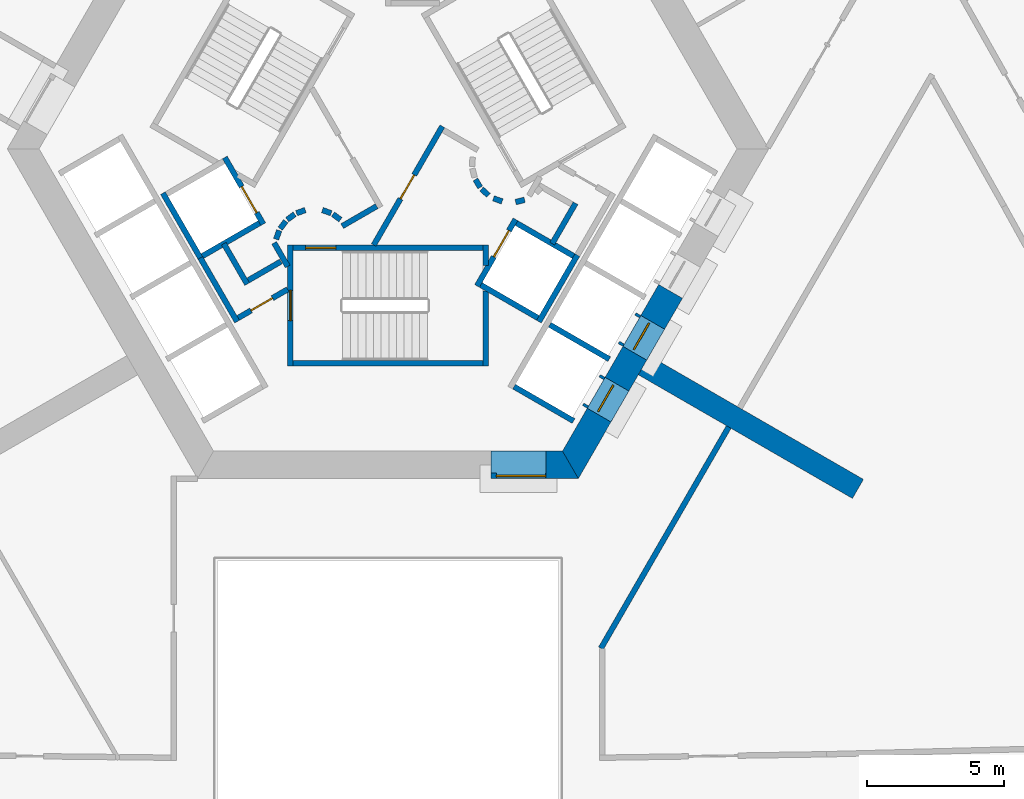
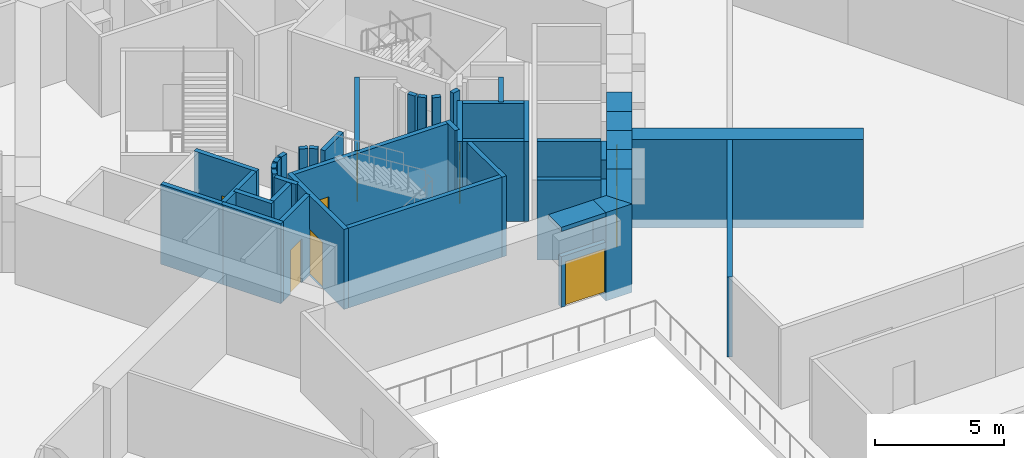
# One storey, part 6 of 16: 44 walls, 9 doors, 9 openings.
"""IFC4 building model written with IfcOpenShell, lengths in metres."""

from ifc_helpers import new_model, si_unit, direction, frame, frame_2d, origin, place, context, subcontext, project, spatial, polyline, rectangle, outline, extrude, material, layer, layer_set, type_object, element, fill, save


model = new_model("IFC4")

# Units and contexts
model_context = context("Model", 3, precision=1e-05, world=origin(), true_north=direction((0.0, 1.0)))
body_context = subcontext(model_context, "Body", "Model", "MODEL_VIEW")
ifc_project = project(units=[si_unit("LENGTHUNIT", "METRE"), si_unit("AREAUNIT", "SQUARE_METRE"), si_unit("VOLUMEUNIT", "CUBIC_METRE"), si_unit("PLANEANGLEUNIT", "RADIAN"), si_unit("MASSUNIT", "GRAM", prefix="KILO")], contexts=[model_context])

# Site, building, storey
site_placement = place(None, origin())
site = spatial("IfcSite", under=ifc_project, at=site_placement, CompositionType="ELEMENT")
building_placement = place(site_placement, origin())
building = spatial("IfcBuilding", under=site, at=building_placement, Name="Entoto Arch Interchange Tower", CompositionType="ELEMENT")
storey_placement = place(building_placement, frame((0.0, 0.0, 60.199951171875)))
storey = spatial("IfcBuildingStorey", under=building, at=storey_placement, Name="L12", CompositionType="ELEMENT", Elevation=60.199951171875)

# Wall
ifc_material_1 = material(Name="Concrete C60/75", Category="concrete")
ifc_layer_1 = layer(ifc_material_1, 0.800048828125)
ifc_layer_set_1 = layer_set([ifc_layer_1], Name="Concrete C60/75")
wall_type_1 = type_object("IfcWallType", Name="Buttress wall 800 C60/75", PredefinedType="SHEAR", material=ifc_layer_set_1)
wall_1_placement = place(storey_placement, frame((9.31005859375, -5.375, -0.39990234375), z_axis=(0.0, 0.0, 1.0), x_axis=(0.866017533419, -0.500013631625, 0.0)))
element("IfcWall", 1, at=wall_1_placement, inside=storey, type_object=wall_type_1, Name="Buttress wall SE L12", PredefinedType="SHEAR", context=body_context, shape_type="SweptSolid", body=[
    extrude(rectangle(XDim=8.999755859375, YDim=0.800048828125, at=frame_2d((4.5, 0.0))), origin(), (0.0, 0.0, 1.0), 4.199951171875),
])

# Wall, opening, door
ifc_material_2 = material(Name="Reinforced concrete C40/50", Category="concrete")
ifc_layer_2 = layer(ifc_material_2, 0.199951171875)
ifc_layer_set_2 = layer_set([ifc_layer_2], Name="Reinforced concrete C40/50")
wall_type_2 = type_object("IfcWallType", Name="CORE GAP INFILL WALL", PredefinedType="PARTITIONING", material=ifc_layer_set_2)
wall_2_placement = place(storey_placement, frame((3.75, -9.39990234375, 0.0), z_axis=(0.0, 0.0, 1.0), x_axis=(1.0, 0.0, 0.0)))
wall_2 = element("IfcWall", 2, at=wall_2_placement, inside=storey, type_object=wall_type_2, Name="wall:L12:gap1", PredefinedType="PARTITIONING", context=body_context, shape_type="SweptSolid", body=[
    extrude(rectangle(XDim=2.0, YDim=0.199951171875, at=frame_2d((1.0, 0.0))), origin(), (0.0, 0.0, 1.0), 2.400146484375),
])
opening_1_placement = place(wall_2_placement, frame((0.18994140625, 0.0, 0.0)))
opening_1 = element("IfcOpeningElement", 3, at=opening_1_placement, cuts=wall_2, Name="Opening L12-D91", PredefinedType="OPENING", context=body_context, shape_type="SweptSolid", body=[
    extrude(rectangle(XDim=1.800048828125, YDim=2.10009765625, at=frame_2d((0.89990234375, 1.050048828125))), frame((0.0, 0.10986328125, 0.0), z_axis=(0.0, -1.0, 0.0), x_axis=(1.0, 0.0, 0.0)), (0.0, 0.0, 1.0), 0.219970703125),
])
ifc_material_3 = material(Name="Fire-rated Steel S235 door and frame", Category="steel")
door_type_1 = type_object("IfcDoorType", Name="DOOR FD-18 1800x2100", OperationType="DOUBLE_DOOR_SINGLE_SWING", PredefinedType="DOOR", material=ifc_material_3)
door_1_placement = place(opening_1_placement, origin())
door_1 = element("IfcDoor", 4, at=door_1_placement, inside=storey, type_object=door_type_1, Name="door:L12:gap1", OperationType="DOUBLE_DOOR_SINGLE_SWING", OverallHeight=2.10009765625, OverallWidth=1.800048828125, PredefinedType="DOOR", context=body_context, shape_type="SweptSolid", body=[
    extrude(rectangle(XDim=1.800048828125, YDim=2.10009765625, at=frame_2d((0.89990234375, 1.050048828125))), frame((0.0, 0.02490234375, 0.0), z_axis=(0.0, -1.0, 0.0), x_axis=(1.0, 0.0, 0.0)), (0.0, 0.0, 1.0), 0.050048828125),
])
fill(opening_1, door_1)

# Walls
ifc_layer_3 = layer(ifc_material_1, 1.0)
ifc_layer_set_3 = layer_set([ifc_layer_3], Name="Concrete C60/75")
wall_type_3 = type_object("IfcWallType", Name="Core wall 1000 C60/75", PredefinedType="SHEAR", material=ifc_layer_set_3)
wall_3_placement = place(storey_placement, frame((0.0, 0.0, -0.39990234375)))
element("IfcWall", 5, at=wall_3_placement, inside=storey, type_object=wall_type_3, Name="Core wall S L12", PredefinedType="SHEAR", context=body_context, shape_type="SweptSolid", body=[
    extrude(outline(polyline([(5.75, -8.5), (5.75, -9.5), (6.927978515625, -9.5), (6.35107421875, -8.5), (5.75, -8.5)])), origin(), (0.0, 0.0, 1.0), 4.199951171875),
])
wall_4_placement = place(storey_placement, frame((0.0, 0.0, 3.60009765625)))
element("IfcWall", 6, at=wall_4_placement, inside=storey, type_object=wall_type_3, Name="Core wall lintel S L12", PredefinedType="SHEAR", context=body_context, shape_type="SweptSolid", body=[
    extrude(outline(polyline([(5.75, -9.5), (5.75, -8.5), (3.75, -8.5), (3.75, -9.5), (5.75, -9.5)])), origin(), (0.0, 0.0, 1.0), 0.199951171875),
])
wall_5_placement = place(storey_placement, frame((0.0, 0.0, -0.39990234375)))
element("IfcWall", 7, at=wall_5_placement, inside=storey, type_object=wall_type_3, Name="Core wall SE L12", PredefinedType="SHEAR", context=body_context, shape_type="SweptSolid", body=[
    extrude(outline(polyline([(8.116943359375, -7.43994140625), (7.251953125, -6.93994140625), (6.35107421875, -8.5), (6.927978515625, -9.5), (8.116943359375, -7.43994140625)])), origin(), (0.0, 0.0, 1.0), 4.199951171875),
])
wall_6_placement = place(storey_placement, frame((0.0, 0.0, -0.39990234375)))
element("IfcWall", 8, at=wall_6_placement, inside=storey, type_object=wall_type_3, Name="Core wall SE L12", PredefinedType="SHEAR", context=body_context, shape_type="SweptSolid", body=[
    extrude(outline(polyline([(9.4169921875, -5.18896484375), (8.551025390625, -4.68896484375), (7.902099609375, -5.81396484375), (8.76708984375, -6.31396484375), (9.4169921875, -5.18896484375)])), origin(), (0.0, 0.0, 1.0), 4.199951171875),
])
wall_7_placement = place(storey_placement, frame((0.0, 0.0, -0.39990234375)))
element("IfcWall", 9, at=wall_7_placement, inside=storey, type_object=wall_type_3, Name="Core wall SE L12", PredefinedType="SHEAR", context=body_context, shape_type="SweptSolid", body=[
    extrude(outline(polyline([(10.717041015625, -2.93701171875), (9.85107421875, -2.43701171875), (9.200927734375, -3.56298828125), (10.06689453125, -4.06298828125), (10.717041015625, -2.93701171875)])), origin(), (0.0, 0.0, 1.0), 4.199951171875),
])
wall_8_placement = place(storey_placement, frame((0.0, 0.0, 3.60009765625)))
element("IfcWall", 10, at=wall_8_placement, inside=storey, type_object=wall_type_3, Name="Core wall lintel SE L12", PredefinedType="SHEAR", context=body_context, shape_type="SweptSolid", body=[
    extrude(outline(polyline([(8.76708984375, -6.31396484375), (7.902099609375, -5.81396484375), (7.251953125, -6.93994140625), (8.116943359375, -7.43994140625), (8.76708984375, -6.31396484375)])), origin(), (0.0, 0.0, 1.0), 0.199951171875),
])
wall_9_placement = place(storey_placement, frame((0.0, 0.0, 3.60009765625)))
element("IfcWall", 11, at=wall_9_placement, inside=storey, type_object=wall_type_3, Name="Core wall lintel SE L12", PredefinedType="SHEAR", context=body_context, shape_type="SweptSolid", body=[
    extrude(outline(polyline([(10.06689453125, -4.06298828125), (9.200927734375, -3.56298828125), (8.551025390625, -4.68896484375), (9.4169921875, -5.18896484375), (10.06689453125, -4.06298828125)])), origin(), (0.0, 0.0, 1.0), 0.199951171875),
])

# Wall, opening, door
ifc_material_4 = material(Name="Concrete C40/50", Category="concrete")
ifc_layer_4 = layer(ifc_material_4, 1.199951171875)
ifc_layer_set_4 = layer_set([ifc_layer_4], Name="Concrete C40/50")
wall_type_4 = type_object("IfcWallType", Name="LIFT LANDING INFILL WALL", PredefinedType="STANDARD", material=ifc_layer_set_4)
wall_10_placement = place(storey_placement, frame((7.597900390625, -7.139892578125, 0.0), z_axis=(0.0, 0.0, 1.0), x_axis=(0.500362116554, 0.865816234728, 0.0)))
wall_10 = element("IfcWall", 12, at=wall_10_placement, inside=storey, type_object=wall_type_4, Name="Lift landing infill wall LR5 L12", PredefinedType="STANDARD", context=body_context, shape_type="SweptSolid", body=[
    extrude(rectangle(XDim=1.29931640625, YDim=1.199951171875, at=frame_2d((0.649658203125, 0.0))), origin(), (0.0, 0.0, 1.0), 2.400146484375),
])
opening_2_placement = place(wall_10_placement, frame((0.10009765625, 0.0, 0.0)))
opening_2 = element("IfcOpeningElement", 13, at=opening_2_placement, cuts=wall_10, Name="Opening LD-LR5-L12", PredefinedType="OPENING", context=body_context, shape_type="SweptSolid", body=[
    extrude(rectangle(XDim=1.10009765625, YDim=2.300048828125, at=frame_2d((0.550048828125, 1.14990234375))), frame((0.0, 0.60986328125, 0.0), z_axis=(0.0, -1.0, 0.0), x_axis=(1.0, 0.0, 0.0)), (0.0, 0.0, 1.0), 1.219970703125),
])
ifc_material_5 = material(Name="Stainless steel 1.4301 panels", Category="steel")
door_type_2 = type_object("IfcDoorType", Name="LIFT LANDING DOOR LD2 1100x2300", OperationType="SLIDING_TO_LEFT", PredefinedType="DOOR", material=ifc_material_5)
door_2_placement = place(opening_2_placement, origin())
door_2 = element("IfcDoor", 14, at=door_2_placement, inside=storey, type_object=door_type_2, Name="Lift landing door LR5 L12", OperationType="SLIDING_TO_LEFT", OverallHeight=2.300048828125, OverallWidth=1.10009765625, PredefinedType="DOOR", context=body_context, shape_type="SweptSolid", body=[
    extrude(rectangle(XDim=1.10009765625, YDim=2.300048828125, at=frame_2d((0.550048828125, 1.14990234375))), frame((0.0, 0.02490234375, 0.0), z_axis=(0.0, -1.0, 0.0), x_axis=(1.0, 0.0, 0.0)), (0.0, 0.0, 1.0), 0.050048828125),
])
fill(opening_2, door_2)

wall_11_placement = place(storey_placement, frame((8.89794921875, -4.888916015625, 0.0), z_axis=(0.0, 0.0, 1.0), x_axis=(0.500036693733, 0.866004217611, 0.0)))
wall_11 = element("IfcWall", 15, at=wall_11_placement, inside=storey, type_object=wall_type_4, Name="Lift landing infill wall LR6 L12", PredefinedType="STANDARD", context=body_context, shape_type="SweptSolid", body=[
    extrude(rectangle(XDim=1.30029296875, YDim=1.199951171875, at=frame_2d((0.650146484375, 0.0))), origin(), (0.0, 0.0, 1.0), 2.400146484375),
])
opening_3_placement = place(wall_11_placement, frame((0.10009765625, 0.0, 0.0)))
opening_3 = element("IfcOpeningElement", 16, at=opening_3_placement, cuts=wall_11, Name="Opening LD-LR6-L12", PredefinedType="OPENING", context=body_context, shape_type="SweptSolid", body=[
    extrude(rectangle(XDim=1.10009765625, YDim=2.300048828125, at=frame_2d((0.550048828125, 1.14990234375))), frame((0.0, 0.60986328125, 0.0), z_axis=(0.0, -1.0, 0.0), x_axis=(1.0, 0.0, 0.0)), (0.0, 0.0, 1.0), 1.219970703125),
])
door_3_placement = place(opening_3_placement, origin())
door_3 = element("IfcDoor", 17, at=door_3_placement, inside=storey, type_object=door_type_2, Name="Lift landing door LR6 L12", OperationType="SLIDING_TO_LEFT", OverallHeight=2.300048828125, OverallWidth=1.10009765625, PredefinedType="DOOR", context=body_context, shape_type="SweptSolid", body=[
    extrude(rectangle(XDim=1.10009765625, YDim=2.300048828125, at=frame_2d((0.550048828125, 1.14990234375))), frame((0.0, 0.02490234375, 0.0), z_axis=(0.0, -1.0, 0.0), x_axis=(1.0, 0.0, 0.0)), (0.0, 0.0, 1.0), 0.050048828125),
])
fill(opening_3, door_3)

ifc_layer_5 = layer(ifc_material_4, 0.199951171875)
ifc_layer_set_5 = layer_set([ifc_layer_5], Name="Concrete C40/50")
wall_type_5 = type_object("IfcWallType", Name="LIFT SHAFT WALL 200", PredefinedType="STANDARD", material=ifc_layer_set_5)
wall_12_placement = place(storey_placement, frame((-5.93994140625, 2.18798828125, 0.0), z_axis=(0.0, 0.0, 1.0), x_axis=(0.49994636267, -0.866056369097, 0.0)))
wall_12 = element("IfcWall", 18, at=wall_12_placement, inside=storey, type_object=wall_type_5, Name="Shaft wall SW1 front", PredefinedType="STANDARD", context=body_context, shape_type="SweptSolid", body=[
    extrude(rectangle(XDim=2.800048828125, YDim=0.199951171875, at=frame_2d((1.39990234375, 0.0))), origin(), (0.0, 0.0, 1.0), 3.800048828125),
])
opening_4_placement = place(wall_12_placement, frame((1.22509765625, 0.0, 0.0)))
opening_4 = element("IfcOpeningElement", 19, at=opening_4_placement, cuts=wall_12, Name="Opening LD-FF2-L12", PredefinedType="OPENING", context=body_context, shape_type="SweptSolid", body=[
    extrude(rectangle(XDim=1.10009765625, YDim=2.10009765625, at=frame_2d((0.550048828125, 1.050048828125))), frame((0.0, 0.10986328125, 0.0), z_axis=(0.0, -1.0, 0.0), x_axis=(1.0, 0.0, 0.0)), (0.0, 0.0, 1.0), 0.219970703125),
])
door_type_3 = type_object("IfcDoorType", Name="LIFT LANDING DOOR LD1 1100x2100", OperationType="SLIDING_TO_LEFT", PredefinedType="DOOR", material=ifc_material_5)
door_4_placement = place(opening_4_placement, origin())
door_4 = element("IfcDoor", 20, at=door_4_placement, inside=storey, type_object=door_type_3, Name="Lift landing door FF2 L12", OperationType="SLIDING_TO_LEFT", OverallHeight=2.10009765625, OverallWidth=1.10009765625, PredefinedType="DOOR", context=body_context, shape_type="SweptSolid", body=[
    extrude(rectangle(XDim=1.10009765625, YDim=2.10009765625, at=frame_2d((0.550048828125, 1.050048828125))), frame((0.0, 0.02490234375, 0.0), z_axis=(0.0, -1.0, 0.0), x_axis=(1.0, 0.0, 0.0)), (0.0, 0.0, 1.0), 0.050048828125),
])
fill(opening_4, door_4)

# Walls
wall_13_placement = place(storey_placement, frame((-8.19189453125, 0.887939453125, 0.0), z_axis=(0.0, 0.0, 1.0), x_axis=(0.49994636267, -0.866056369097, 0.0)))
element("IfcWall", 21, at=wall_13_placement, inside=storey, type_object=wall_type_5, Name="Shaft wall SW1 back", PredefinedType="STANDARD", context=body_context, shape_type="SweptSolid", body=[
    extrude(rectangle(XDim=2.800048828125, YDim=0.199951171875, at=frame_2d((1.39990234375, 0.0))), origin(), (0.0, 0.0, 1.0), 3.800048828125),
])
wall_14_placement = place(storey_placement, frame((-4.677001953125, -0.199951171875, 0.0), z_axis=(0.0, 0.0, 1.0), x_axis=(-0.865973769406, -0.500089422704, 0.0)))
element("IfcWall", 22, at=wall_14_placement, inside=storey, type_object=wall_type_5, Name="Shaft wall SW1 cross 2", PredefinedType="STANDARD", context=body_context, shape_type="SweptSolid", body=[
    extrude(rectangle(XDim=2.3994140625, YDim=0.199951171875, at=frame_2d((1.19970703125, 0.0))), origin(), (0.0, 0.0, 1.0), 3.800048828125),
])

# Wall, opening, door
wall_15_placement = place(storey_placement, frame((3.239990234375, -2.488037109375, 0.0), z_axis=(0.0, 0.0, 1.0), x_axis=(0.49994636267, 0.866056369097, 0.0)))
wall_15 = element("IfcWall", 23, at=wall_15_placement, inside=storey, type_object=wall_type_5, Name="Shaft wall SE1 front", PredefinedType="STANDARD", context=body_context, shape_type="SweptSolid", body=[
    extrude(rectangle(XDim=2.800048828125, YDim=0.199951171875, at=frame_2d((1.39990234375, 0.0))), origin(), (0.0, 0.0, 1.0), 3.800048828125),
])
opening_5_placement = place(wall_15_placement, frame((1.22509765625, 0.0, 0.0)))
opening_5 = element("IfcOpeningElement", 24, at=opening_5_placement, cuts=wall_15, Name="Opening LD-FF1-L12", PredefinedType="OPENING", context=body_context, shape_type="SweptSolid", body=[
    extrude(rectangle(XDim=1.10009765625, YDim=2.10009765625, at=frame_2d((0.550048828125, 1.050048828125))), frame((0.0, 0.10986328125, 0.0), z_axis=(0.0, -1.0, 0.0), x_axis=(1.0, 0.0, 0.0)), (0.0, 0.0, 1.0), 0.219970703125),
])
door_5_placement = place(opening_5_placement, origin())
door_5 = element("IfcDoor", 25, at=door_5_placement, inside=storey, type_object=door_type_3, Name="Lift landing door FF1 L12", OperationType="SLIDING_TO_LEFT", OverallHeight=2.10009765625, OverallWidth=1.10009765625, PredefinedType="DOOR", context=body_context, shape_type="SweptSolid", body=[
    extrude(rectangle(XDim=1.10009765625, YDim=2.10009765625, at=frame_2d((0.550048828125, 1.050048828125))), frame((0.0, 0.02490234375, 0.0), z_axis=(0.0, -1.0, 0.0), x_axis=(1.0, 0.0, 0.0)), (0.0, 0.0, 1.0), 0.050048828125),
])
fill(opening_5, door_5)

# Walls
wall_16_placement = place(storey_placement, frame((5.491943359375, -3.7880859375, 0.0), z_axis=(0.0, 0.0, 1.0), x_axis=(0.500011755427, 0.866018616679, 0.0)))
element("IfcWall", 26, at=wall_16_placement, inside=storey, type_object=wall_type_5, Name="Shaft wall SE1 back", PredefinedType="STANDARD", context=body_context, shape_type="SweptSolid", body=[
    extrude(rectangle(XDim=2.80029296875, YDim=0.199951171875, at=frame_2d((1.400146484375, 0.0))), origin(), (0.0, 0.0, 1.0), 3.800048828125),
])
wall_17_placement = place(storey_placement, frame((3.376953125, -2.451904296875, 0.0), z_axis=(0.0, 0.0, 1.0), x_axis=(0.865955154139, -0.50012165622, 0.0)))
element("IfcWall", 27, at=wall_17_placement, inside=storey, type_object=wall_type_5, Name="Shaft wall SE1 cross 1", PredefinedType="STANDARD", context=body_context, shape_type="SweptSolid", body=[
    extrude(rectangle(XDim=2.39990234375, YDim=0.199951171875, at=frame_2d((1.199951171875, 0.0))), origin(), (0.0, 0.0, 1.0), 3.800048828125),
])
wall_18_placement = place(storey_placement, frame((4.677001953125, -0.199951171875, 0.0), z_axis=(0.0, 0.0, 1.0), x_axis=(0.865973769406, -0.500089422704, 0.0)))
element("IfcWall", 28, at=wall_18_placement, inside=storey, type_object=wall_type_5, Name="Shaft wall SE1 cross 2", PredefinedType="STANDARD", context=body_context, shape_type="SweptSolid", body=[
    extrude(rectangle(XDim=2.3994140625, YDim=0.199951171875, at=frame_2d((1.19970703125, 0.0))), origin(), (0.0, 0.0, 1.0), 3.800048828125),
])
for number, where, z_axis, x_axis, name in (
    (29, (4.587890625, -6.153076171875, 0.0), (0.0, 0.0, 1.0), (0.866022959057, -0.500004234368, 0.0), "Shaft wall SE3 cross 1"),
    (30, (5.887939453125, -3.902099609375, 0.0), (0.0, 0.0, 1.0), (0.866022959057, -0.500004234368, 0.0), "Shaft wall SE3 cross 2"),
):
    element("IfcWall", number, at=place(storey_placement, frame(where, z_axis=z_axis, x_axis=x_axis)), inside=storey, type_object=wall_type_5, Name=name, PredefinedType="STANDARD", context=body_context, shape_type="SweptSolid", body=[
        extrude(rectangle(XDim=2.5, YDim=0.199951171875, at=frame_2d((1.25, 0.0))), origin(), (0.0, 0.0, 1.0), 3.800048828125),
    ])
ifc_material_6 = material(Name="Gypsum board partition on steel studs", Category="steel")
ifc_layer_6 = layer(ifc_material_6, 0.199951171875)
ifc_layer_set_6 = layer_set([ifc_layer_6], Name="Gypsum board partition on steel studs")
wall_type_6 = type_object("IfcWallType", Name="PARTITION 200", PredefinedType="PARTITIONING", material=ifc_layer_set_6)
wall_19_placement = place(storey_placement, frame((6.825927734375, 0.52197265625, 0.0), z_axis=(0.0, 0.0, 1.0), x_axis=(-0.500016722714, -0.866015748706, 0.0)))
element("IfcWall", 31, at=wall_19_placement, inside=storey, type_object=wall_type_6, Name="wall:L12:p088", PredefinedType="PARTITIONING", context=body_context, shape_type="SweptSolid", body=[
    extrude(rectangle(XDim=1.69970703125, YDim=0.199951171875, at=frame_2d((0.849853515625, 0.0))), origin(), (0.0, 0.0, 1.0), 3.800048828125),
])
wall_20_placement = place(storey_placement, frame((-3.89990234375, -1.59912109375, 0.0), z_axis=(0.0, 0.0, 1.0), x_axis=(-0.865969445389, -0.500096910261, 0.0)))
element("IfcWall", 32, at=wall_20_placement, inside=storey, type_object=wall_type_6, Name="wall:L12:p092", PredefinedType="PARTITIONING", context=body_context, shape_type="SweptSolid", body=[
    extrude(rectangle(XDim=1.373291015625, YDim=0.199951171875, at=frame_2d((0.6865234375, 0.0))), origin(), (0.0, 0.0, 1.0), 3.800048828125),
])
wall_21_placement = place(storey_placement, frame((-5.1259765625, -2.422119140625, 0.0), z_axis=(0.0, 0.0, 1.0), x_axis=(-0.500062241894, 0.865989465428, 0.0)))
element("IfcWall", 33, at=wall_21_placement, inside=storey, type_object=wall_type_6, Name="wall:L12:p093", PredefinedType="PARTITIONING", context=body_context, shape_type="SweptSolid", body=[
    extrude(rectangle(XDim=1.699951171875, YDim=0.199951171875, at=frame_2d((0.85009765625, 0.0))), origin(), (0.0, 0.0, 1.0), 3.800048828125),
])

# Wall, opening, door
wall_22_placement = place(storey_placement, frame((-3.64990234375, -2.610107421875, 0.0), z_axis=(0.0, 0.0, 1.0), x_axis=(-0.866072462134, -0.499918483688, 0.0)))
wall_22 = element("IfcWall", 34, at=wall_22_placement, inside=storey, type_object=wall_type_6, Name="wall:L12:p094", PredefinedType="PARTITIONING", context=body_context, shape_type="SweptSolid", body=[
    extrude(rectangle(XDim=2.084228515625, YDim=0.199951171875, at=frame_2d((1.0419921875, 0.0))), origin(), (0.0, 0.0, 1.0), 3.800048828125),
])
opening_6_placement = place(wall_22_placement, frame((0.64208984375, 0.0, 0.0)))
opening_6 = element("IfcOpeningElement", 35, at=opening_6_placement, cuts=wall_22, Name="Opening L12-D34", PredefinedType="OPENING", context=body_context, shape_type="SweptSolid", body=[
    extrude(rectangle(XDim=0.89990234375, YDim=2.10009765625, at=frame_2d((0.449951171875, 1.050048828125))), frame((0.0, 0.10986328125, 0.0), z_axis=(0.0, -1.0, 0.0), x_axis=(1.0, 0.0, 0.0)), (0.0, 0.0, 1.0), 0.219970703125),
])
ifc_material_7 = material(Name="Timber door leaf in Steel S235 frame", Category="steel")
door_type_4 = type_object("IfcDoorType", Name="DOOR DS-09 900x2100", OperationType="SINGLE_SWING_LEFT", PredefinedType="DOOR", material=ifc_material_7)
door_6_placement = place(opening_6_placement, origin())
door_6 = element("IfcDoor", 36, at=door_6_placement, inside=storey, type_object=door_type_4, Name="door:L12:34", OperationType="SINGLE_SWING_LEFT", OverallHeight=2.10009765625, OverallWidth=0.89990234375, PredefinedType="DOOR", context=body_context, shape_type="SweptSolid", body=[
    extrude(rectangle(XDim=0.89990234375, YDim=2.10009765625, at=frame_2d((0.449951171875, 1.050048828125))), frame((0.0, 0.02490234375, 0.0), z_axis=(0.0, -1.0, 0.0), x_axis=(1.0, 0.0, 0.0)), (0.0, 0.0, 1.0), 0.050048828125),
])
fill(opening_6, door_6)

# Walls
wall_23_placement = place(storey_placement, frame((-5.491943359375, -3.7880859375, 0.0), z_axis=(0.0, 0.0, 1.0), x_axis=(-0.500008949224, 0.866020236886, 0.0)))
element("IfcWall", 37, at=wall_23_placement, inside=storey, type_object=wall_type_6, Name="wall:L12:p095", PredefinedType="PARTITIONING", context=body_context, shape_type="SweptSolid", body=[
    extrude(rectangle(XDim=2.68017578125, YDim=0.199951171875, at=frame_2d((1.340087890625, 0.0))), origin(), (0.0, 0.0, 1.0), 3.800048828125),
])
wall_24_placement = place(storey_placement, frame((-4.14501953125, -0.919921875, 0.0), z_axis=(0.0, 0.0, 1.0), x_axis=(0.499743786207, -0.866173278362, 0.0)))
element("IfcWall", 38, at=wall_24_placement, inside=storey, type_object=wall_type_6, Name="wall:L12:p096", PredefinedType="PARTITIONING", context=body_context, shape_type="SweptSolid", body=[
    extrude(rectangle(XDim=0.99072265625, YDim=0.199951171875, at=frame_2d((0.495361328125, 0.0))), origin(), (0.0, 0.0, 1.0), 3.800048828125),
])

# Wall, opening, door
wall_25_placement = place(storey_placement, frame((-0.52001953125, -1.0, 0.0), z_axis=(0.0, 0.0, 1.0), x_axis=(0.50011622646, 0.865958290007, 0.0)))
wall_25 = element("IfcWall", 39, at=wall_25_placement, inside=storey, type_object=wall_type_6, Name="wall:L12:p100", PredefinedType="PARTITIONING", context=body_context, shape_type="SweptSolid", body=[
    extrude(rectangle(XDim=4.990966796875, YDim=0.199951171875, at=frame_2d((2.49560546875, 0.0))), origin(), (0.0, 0.0, 1.0), 3.800048828125),
])
opening_7_placement = place(wall_25_placement, frame((1.945068359375, 0.0, 0.0)))
opening_7 = element("IfcOpeningElement", 40, at=opening_7_placement, cuts=wall_25, Name="Opening L12-D30", PredefinedType="OPENING", context=body_context, shape_type="SweptSolid", body=[
    extrude(rectangle(XDim=1.0, YDim=2.10009765625, at=frame_2d((0.5, 1.050048828125))), frame((0.0, 0.10986328125, 0.0), z_axis=(0.0, -1.0, 0.0), x_axis=(1.0, 0.0, 0.0)), (0.0, 0.0, 1.0), 0.219970703125),
])
door_type_5 = type_object("IfcDoorType", Name="DOOR FD-10 1000x2100", OperationType="SINGLE_SWING_LEFT", PredefinedType="DOOR", material=ifc_material_3)
door_7_placement = place(opening_7_placement, origin())
door_7 = element("IfcDoor", 41, at=door_7_placement, inside=storey, type_object=door_type_5, Name="door:L12:30", OperationType="SINGLE_SWING_LEFT", OverallHeight=2.10009765625, OverallWidth=1.0, PredefinedType="DOOR", context=body_context, shape_type="SweptSolid", body=[
    extrude(rectangle(XDim=1.0, YDim=2.10009765625, at=frame_2d((0.5, 1.050048828125))), frame((0.0, 0.02490234375, 0.0), z_axis=(0.0, -1.0, 0.0), x_axis=(1.0, 0.0, 0.0)), (0.0, 0.0, 1.0), 0.050048828125),
])
fill(opening_7, door_7)

# Walls
for number, where, z_axis, x_axis, name in (
    (42, (3.181884765625, 1.387939453125, 0.0), (0.0, 0.0, 1.0), (0.512474702713, -0.85870232274, 0.0), "wall:L12:p104"),
    (43, (3.404052734375, 1.0390625, 0.0), (0.0, 0.0, 1.0), (0.740267097712, -0.672312891476, 0.0), "wall:L12:p105"),
):
    element("IfcWall", number, at=place(storey_placement, frame(where, z_axis=z_axis, x_axis=x_axis)), inside=storey, type_object=wall_type_6, Name=name, PredefinedType="PARTITIONING", context=body_context, shape_type="SweptSolid", body=[
        extrude(rectangle(XDim=0.337646484375, YDim=0.199951171875, at=frame_2d((0.1689453125, 0.0))), origin(), (0.0, 0.0, 1.0), 3.800048828125),
    ])
wall_26_placement = place(storey_placement, frame((3.837890625, 0.701904296875, 0.0), z_axis=(0.0, 0.0, 1.0), x_axis=(0.941035081519, -0.338308993895, 0.0)))
element("IfcWall", 44, at=wall_26_placement, inside=storey, type_object=wall_type_6, Name="wall:L12:p106", PredefinedType="PARTITIONING", context=body_context, shape_type="SweptSolid", body=[
    extrude(rectangle(XDim=0.3369140625, YDim=0.199951171875, at=frame_2d((0.16845703125, 0.0))), origin(), (0.0, 0.0, 1.0), 3.800048828125),
])
wall_27_placement = place(storey_placement, frame((4.64404296875, 0.56396484375, 0.0), z_axis=(0.0, 0.0, 1.0), x_axis=(0.969929076366, 0.243387729394, 0.0)))
element("IfcWall", 45, at=wall_27_placement, inside=storey, type_object=wall_type_6, Name="wall:L12:p107", PredefinedType="PARTITIONING", context=body_context, shape_type="SweptSolid", body=[
    extrude(rectangle(XDim=0.337158203125, YDim=0.199951171875, at=frame_2d((0.16845703125, 0.0))), origin(), (0.0, 0.0, 1.0), 3.800048828125),
])
wall_28_placement = place(storey_placement, frame((-0.412109375, 0.4140625, 0.0), z_axis=(0.0, 0.0, 1.0), x_axis=(-0.866017369001, -0.500013916395, 0.0)))
element("IfcWall", 46, at=wall_28_placement, inside=storey, type_object=wall_type_6, Name="wall:L12:p109", PredefinedType="PARTITIONING", context=body_context, shape_type="SweptSolid", body=[
    extrude(rectangle(XDim=1.4501953125, YDim=0.199951171875, at=frame_2d((0.72509765625, 0.0))), origin(), (0.0, 0.0, 1.0), 3.800048828125),
])
wall_29_placement = place(storey_placement, frame((-1.73095703125, -0.076904296875, 0.0), z_axis=(0.0, 0.0, 1.0), x_axis=(-0.804311165252, 0.594208338422, 0.0)))
element("IfcWall", 47, at=wall_29_placement, inside=storey, type_object=wall_type_6, Name="wall:L12:p110", PredefinedType="PARTITIONING", context=body_context, shape_type="SweptSolid", body=[
    extrude(rectangle(XDim=0.338134765625, YDim=0.199951171875, at=frame_2d((0.1689453125, 0.0))), origin(), (0.0, 0.0, 1.0), 3.800048828125),
])
wall_30_placement = place(storey_placement, frame((-2.070068359375, 0.159912109375, 0.0), z_axis=(0.0, 0.0, 1.0), x_axis=(-0.942199461132, 0.335052496547, 0.0)))
element("IfcWall", 48, at=wall_30_placement, inside=storey, type_object=wall_type_6, Name="wall:L12:p111", PredefinedType="PARTITIONING", context=body_context, shape_type="SweptSolid", body=[
    extrude(rectangle(XDim=0.33740234375, YDim=0.199951171875, at=frame_2d((0.168701171875, 0.0))), origin(), (0.0, 0.0, 1.0), 3.800048828125),
])
wall_31_placement = place(storey_placement, frame((-3.011962890625, 0.27294921875, 0.0), z_axis=(0.0, 0.0, 1.0), x_axis=(-0.942280615813, -0.334824194261, 0.0)))
element("IfcWall", 49, at=wall_31_placement, inside=storey, type_object=wall_type_6, Name="wall:L12:p112", PredefinedType="PARTITIONING", context=body_context, shape_type="SweptSolid", body=[
    extrude(rectangle(XDim=0.337646484375, YDim=0.199951171875, at=frame_2d((0.1689453125, 0.0))), origin(), (0.0, 0.0, 1.0), 3.800048828125),
])
wall_32_placement = place(storey_placement, frame((-3.39697265625, 0.1240234375, 0.0), z_axis=(0.0, 0.0, 1.0), x_axis=(-0.804311165252, -0.594208338422, 0.0)))
element("IfcWall", 50, at=wall_32_placement, inside=storey, type_object=wall_type_6, Name="wall:L12:p113", PredefinedType="PARTITIONING", context=body_context, shape_type="SweptSolid", body=[
    extrude(rectangle(XDim=0.338134765625, YDim=0.199951171875, at=frame_2d((0.1689453125, 0.0))), origin(), (0.0, 0.0, 1.0), 3.800048828125),
])
wall_33_placement = place(storey_placement, frame((-3.722900390625, -0.131103515625, 0.0), z_axis=(0.0, 0.0, 1.0), x_axis=(-0.594675113454, -0.803966112121, 0.0)))
element("IfcWall", 51, at=wall_33_placement, inside=storey, type_object=wall_type_6, Name="wall:L12:p114", PredefinedType="PARTITIONING", context=body_context, shape_type="SweptSolid", body=[
    extrude(rectangle(XDim=0.33837890625, YDim=0.199951171875, at=frame_2d((0.169189453125, 0.0))), origin(), (0.0, 0.0, 1.0), 3.800048828125),
])
wall_34_placement = place(storey_placement, frame((-3.9599609375, -0.469970703125, 0.0), z_axis=(0.0, 0.0, 1.0), x_axis=(-0.334824194261, -0.942280615813, 0.0)))
element("IfcWall", 52, at=wall_34_placement, inside=storey, type_object=wall_type_6, Name="wall:L12:p115", PredefinedType="PARTITIONING", context=body_context, shape_type="SweptSolid", body=[
    extrude(rectangle(XDim=0.337646484375, YDim=0.199951171875, at=frame_2d((0.1689453125, 0.0))), origin(), (0.0, 0.0, 1.0), 3.800048828125),
])
wall_35_placement = place(storey_placement, frame((12.40087890625, -7.6220703125, 0.0), z_axis=(0.0, 0.0, 1.0), x_axis=(-0.500029185841, -0.866008552675, 0.0)))
element("IfcWall", 53, at=wall_35_placement, inside=storey, type_object=wall_type_6, Name="wall:L12:p122", PredefinedType="PARTITIONING", context=body_context, shape_type="SweptSolid", body=[
    extrude(rectangle(XDim=9.30126953125, YDim=0.199951171875, at=frame_2d((4.650634765625, 0.0))), origin(), (0.0, 0.0, 1.0), 3.800048828125),
])

# Wall, opening, door
ifc_layer_7 = layer(ifc_material_4, 0.199951171875)
ifc_layer_set_7 = layer_set([ifc_layer_7], Name="Concrete C40/50")
wall_type_7 = type_object("IfcWallType", Name="STAIR ENCLOSURE WALL 200", PredefinedType="STANDARD", material=ifc_layer_set_7)
wall_36_placement = place(storey_placement, frame((-3.550048828125, -1.0, 0.0), z_axis=(0.0, 0.0, 1.0), x_axis=(0.0, -1.0, 0.0)))
wall_36 = element("IfcWall", 54, at=wall_36_placement, inside=storey, type_object=wall_type_7, Name="Stair wall ST-S near", PredefinedType="STANDARD", context=body_context, shape_type="SweptSolid", body=[
    extrude(rectangle(XDim=4.39990234375, YDim=0.199951171875, at=frame_2d((2.199951171875, 0.0))), origin(), (0.0, 0.0, 1.0), 3.800048828125),
])
opening_8_placement = place(wall_36_placement, frame((1.64990234375, 0.0, 0.0)))
opening_8 = element("IfcOpeningElement", 55, at=opening_8_placement, cuts=wall_36, Name="Opening SD-ST-S-L12-E", PredefinedType="OPENING", context=body_context, shape_type="SweptSolid", body=[
    extrude(rectangle(XDim=1.10009765625, YDim=2.199951171875, at=frame_2d((0.550048828125, 1.10009765625))), frame((0.0, 0.10986328125, 0.0), z_axis=(0.0, -1.0, 0.0), x_axis=(1.0, 0.0, 0.0)), (0.0, 0.0, 1.0), 0.219970703125),
])
ifc_material_8 = material(Name="Steel S235", Category="steel")
door_type_6 = type_object("IfcDoorType", Name="STAIR DOOR SD1 1100x2200", OperationType="SINGLE_SWING_LEFT", PredefinedType="DOOR", material=ifc_material_8)
door_8_placement = place(opening_8_placement, origin())
door_8 = element("IfcDoor", 56, at=door_8_placement, inside=storey, type_object=door_type_6, Name="Stair door ST-S L12 end", OperationType="SINGLE_SWING_LEFT", OverallHeight=2.199951171875, OverallWidth=1.10009765625, PredefinedType="DOOR", context=body_context, shape_type="SweptSolid", body=[
    extrude(rectangle(XDim=1.10009765625, YDim=2.199951171875, at=frame_2d((0.550048828125, 1.10009765625))), frame((0.0, 0.02490234375, 0.0), z_axis=(0.0, -1.0, 0.0), x_axis=(1.0, 0.0, 0.0)), (0.0, 0.0, 1.0), 0.050048828125),
])
fill(opening_8, door_8)

# Walls
wall_37_placement = place(storey_placement, frame((3.550048828125, -2.6669921875, 0.0), z_axis=(0.0, 0.0, 1.0), x_axis=(0.0, -1.0, 0.0)))
element("IfcWall", 57, at=wall_37_placement, inside=storey, type_object=wall_type_7, Name="Stair wall ST-S far", PredefinedType="STANDARD", context=body_context, shape_type="SweptSolid", body=[
    extrude(rectangle(XDim=2.73291015625, YDim=0.199951171875, at=frame_2d((1.366455078125, 0.0))), origin(), (0.0, 0.0, 1.0), 3.800048828125),
])
wall_38_placement = place(storey_placement, frame((3.550048828125, -1.0, 0.0), z_axis=(0.0, 0.0, 1.0), x_axis=(0.0, -1.0, 0.0)))
element("IfcWall", 58, at=wall_38_placement, inside=storey, type_object=wall_type_7, Name="Stair wall ST-S far return", PredefinedType="STANDARD", context=body_context, shape_type="SweptSolid", body=[
    extrude(rectangle(XDim=0.7509765625, YDim=0.199951171875, at=frame_2d((0.37548828125, 0.0))), origin(), (0.0, 0.0, 1.0), 3.800048828125),
])

# Wall, opening, door
wall_39_placement = place(storey_placement, frame((-3.449951171875, -1.10009765625, 0.0), z_axis=(0.0, 0.0, 1.0), x_axis=(1.0, 0.0, 0.0)))
wall_39 = element("IfcWall", 59, at=wall_39_placement, inside=storey, type_object=wall_type_7, Name="Stair wall ST-S hall", PredefinedType="STANDARD", context=body_context, shape_type="SweptSolid", body=[
    extrude(rectangle(XDim=6.89990234375, YDim=0.199951171875, at=frame_2d((3.449951171875, 0.0))), origin(), (0.0, 0.0, 1.0), 3.800048828125),
])
opening_9_placement = place(wall_39_placement, frame((0.449951171875, 0.0, 0.0)))
opening_9 = element("IfcOpeningElement", 60, at=opening_9_placement, cuts=wall_39, Name="Opening SD-ST-S-L12", PredefinedType="OPENING", context=body_context, shape_type="SweptSolid", body=[
    extrude(rectangle(XDim=1.10009765625, YDim=2.199951171875, at=frame_2d((0.550048828125, 1.10009765625))), frame((0.0, 0.10986328125, 0.0), z_axis=(0.0, -1.0, 0.0), x_axis=(1.0, 0.0, 0.0)), (0.0, 0.0, 1.0), 0.219970703125),
])
door_9_placement = place(opening_9_placement, origin())
door_9 = element("IfcDoor", 61, at=door_9_placement, inside=storey, type_object=door_type_6, Name="Stair door ST-S L12", OperationType="SINGLE_SWING_LEFT", OverallHeight=2.199951171875, OverallWidth=1.10009765625, PredefinedType="DOOR", context=body_context, shape_type="SweptSolid", body=[
    extrude(rectangle(XDim=1.10009765625, YDim=2.199951171875, at=frame_2d((0.550048828125, 1.10009765625))), frame((0.0, 0.02490234375, 0.0), z_axis=(0.0, -1.0, 0.0), x_axis=(1.0, 0.0, 0.0)), (0.0, 0.0, 1.0), 0.050048828125),
])
fill(opening_9, door_9)

# Wall
wall_40_placement = place(storey_placement, frame((-3.449951171875, -5.300048828125, 0.0), z_axis=(0.0, 0.0, 1.0), x_axis=(1.0, 0.0, 0.0)))
element("IfcWall", 62, at=wall_40_placement, inside=storey, type_object=wall_type_7, Name="Stair wall ST-S back", PredefinedType="STANDARD", context=body_context, shape_type="SweptSolid", body=[
    extrude(rectangle(XDim=6.89990234375, YDim=0.199951171875, at=frame_2d((3.449951171875, 0.0))), origin(), (0.0, 0.0, 1.0), 3.800048828125),
])

save(model, "model.ifc")
